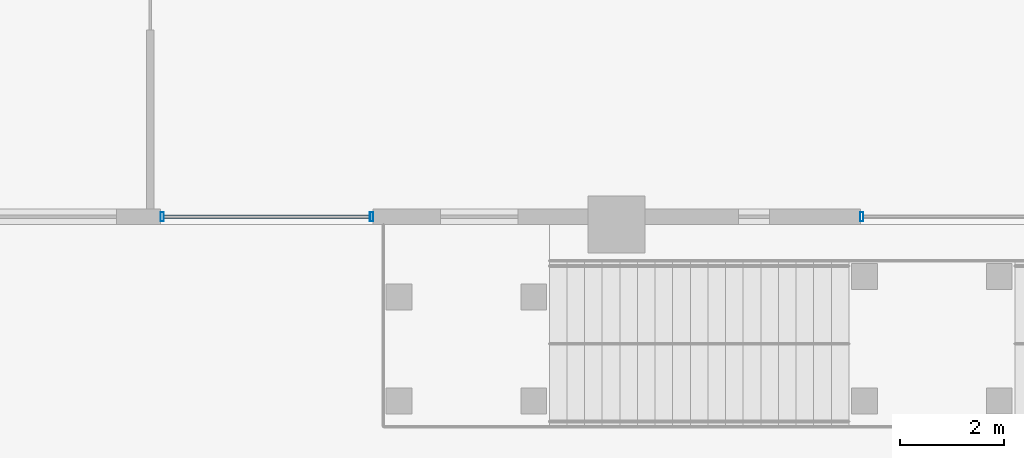
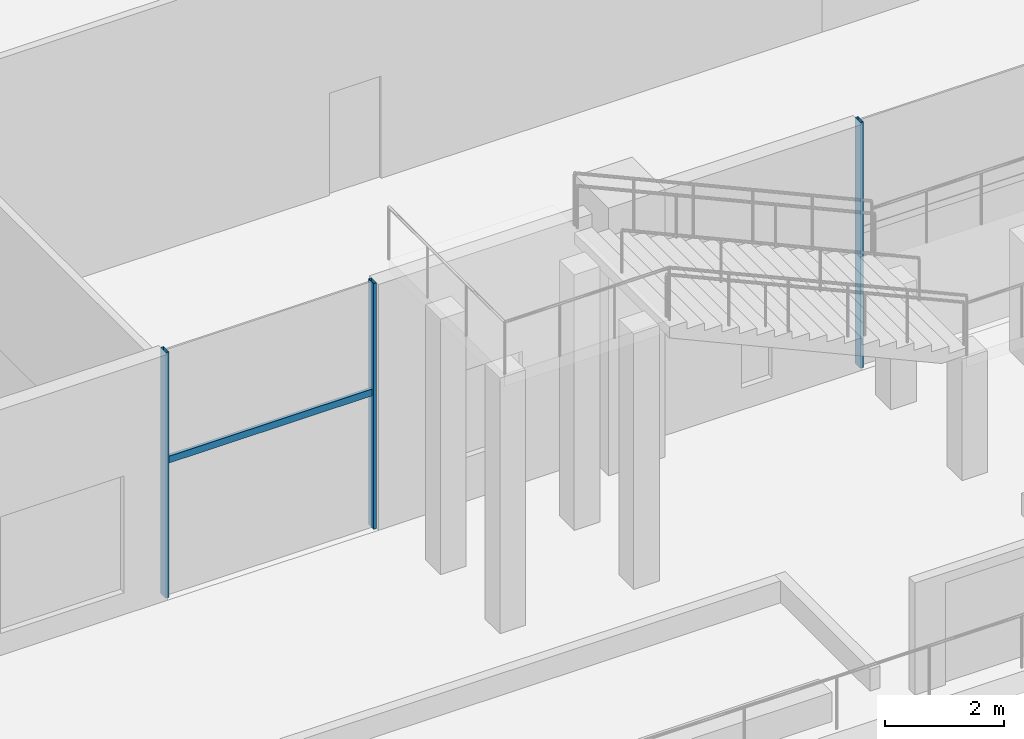
# One storey, part 7 of 47: 4 members, 2 elements without a shape of their own.
"""IFC4 building model written with IfcOpenShell, lengths in metres."""

from ifc_helpers import new_model, si_unit, direction, frame, origin, origin_2d, place, context, subcontext, project, spatial, hollow_rectangle, extrude, material, material_profile, profile_set, type_object, element, aggregate, save


model = new_model("IFC4")

# Units and contexts
model_context = context("Model", 3, precision=1e-05, world=origin(), true_north=direction((0.0, 1.0)))
body_context = subcontext(model_context, "Body", "Model", "MODEL_VIEW")
ifc_project = project(units=[si_unit("LENGTHUNIT", "METRE"), si_unit("AREAUNIT", "SQUARE_METRE"), si_unit("VOLUMEUNIT", "CUBIC_METRE"), si_unit("PLANEANGLEUNIT", "RADIAN"), si_unit("MASSUNIT", "GRAM", prefix="KILO")], contexts=[model_context])

# Site, building, storey
site_placement = place(None, origin())
site = spatial("IfcSite", under=ifc_project, at=site_placement, CompositionType="ELEMENT")
building_placement = place(site_placement, origin())
building = spatial("IfcBuilding", under=site, at=building_placement, Name="Altepetl Exchange Towers", CompositionType="ELEMENT")
storey_placement = place(building_placement, frame((0.0, 0.0, 6.0)))
storey = spatial("IfcBuildingStorey", under=building, at=storey_placement, Name="L01 Retail podium", CompositionType="ELEMENT", Elevation=6.0)

# Curtain wall, members
ifc_material_1 = material(Name="Aluminium 6063-T6 glazing", Category="aluminium")
curtain_wall_type = type_object("IfcCurtainWallType", Name="Podium storefront system", PredefinedType="NOTDEFINED", material=ifc_material_1)
curtain_wall_1_placement = place(storey_placement, origin())
curtain_wall_1 = element("IfcCurtainWall", 1, at=curtain_wall_1_placement, inside=storey, type_object=curtain_wall_type, Name="CW5 run", PredefinedType="NOTDEFINED")
ifc_material_2 = material(Name="Aluminium 6063-T6", Category="aluminium")
ifc_material_profile_1 = material_profile(ifc_material_2, hollow_rectangle(XDim=0.06005859375, YDim=0.175048828125, WallThickness=0.0029296875, at=origin_2d()), Name="Mullion 60x175 aluminium")
ifc_profile_set_1 = profile_set([ifc_material_profile_1], Name="Aluminium 6063-T6")
member_type_1 = type_object("IfcMemberType", Name="Mullion 60x175 aluminium", PredefinedType="MULLION", material=ifc_profile_set_1)
member_1_placement = place(storey_placement, frame((94.72998046875, 9.14990234375, 0.0)))
member_1 = element("IfcMember", 2, at=member_1_placement, type_object=member_type_1, Name="MU4 mullion", PredefinedType="MULLION", context=body_context, shape_type="SweptSolid", body=[
    extrude(hollow_rectangle(XDim=0.06005859375, YDim=0.175048828125, WallThickness=0.0029296875, at=origin_2d()), origin(), (0.0, 0.0, 1.0), 5.050048828125),
])
member_2_placement = place(storey_placement, frame((98.77001953125, 9.14990234375, 0.0)))
member_2 = element("IfcMember", 3, at=member_2_placement, type_object=member_type_1, Name="MU4 mullion", PredefinedType="MULLION", context=body_context, shape_type="SweptSolid", body=[
    extrude(hollow_rectangle(XDim=0.06005859375, YDim=0.175048828125, WallThickness=0.0029296875, at=origin_2d()), origin(), (0.0, 0.0, 1.0), 5.050048828125),
])

# Curtain wall, member
curtain_wall_2_placement = place(storey_placement, origin())
curtain_wall_2 = element("IfcCurtainWall", 4, at=curtain_wall_2_placement, inside=storey, type_object=curtain_wall_type, Name="CW5 run", PredefinedType="NOTDEFINED")
member_3_placement = place(storey_placement, frame((108.22998046875, 9.14990234375, 0.0)))
member_3 = element("IfcMember", 5, at=member_3_placement, type_object=member_type_1, Name="MU4 mullion", PredefinedType="MULLION", context=body_context, shape_type="SweptSolid", body=[
    extrude(hollow_rectangle(XDim=0.06005859375, YDim=0.175048828125, WallThickness=0.0029296875, at=origin_2d()), origin(), (0.0, 0.0, 1.0), 5.050048828125),
])
aggregate(curtain_wall_2, [member_3])

# Member
ifc_material_profile_2 = material_profile(ifc_material_2, hollow_rectangle(XDim=0.06005859375, YDim=0.139892578125, WallThickness=0.0029296875, at=origin_2d()), Name="Transom 60x140 aluminium")
ifc_profile_set_2 = profile_set([ifc_material_profile_2], Name="Aluminium 6063-T6")
member_type_2 = type_object("IfcMemberType", Name="Transom 60x140 aluminium", PredefinedType="USERDEFINED", material=ifc_profile_set_2)
member_4_placement = place(storey_placement, frame((94.760009765625, 9.14990234375, 2.780029296875), z_axis=(1.0, 0.0, 0.0), x_axis=(0.0, 1.0, 0.0)))
member_4 = element("IfcMember", 6, at=member_4_placement, type_object=member_type_2, Name="TR3 transom", ObjectType="TRANSOM", PredefinedType="USERDEFINED", context=body_context, shape_type="SweptSolid", body=[
    extrude(hollow_rectangle(XDim=0.06005859375, YDim=0.139892578125, WallThickness=0.0029296875, at=origin_2d()), origin(), (0.0, 0.0, 1.0), 3.97998046875),
])

aggregate(curtain_wall_1, [member_1, member_2, member_4])

save(model, "model.ifc")
